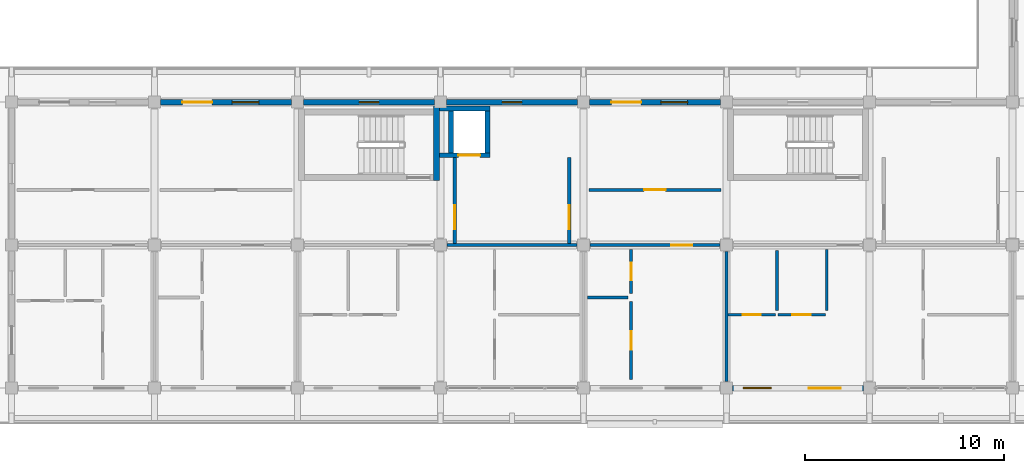
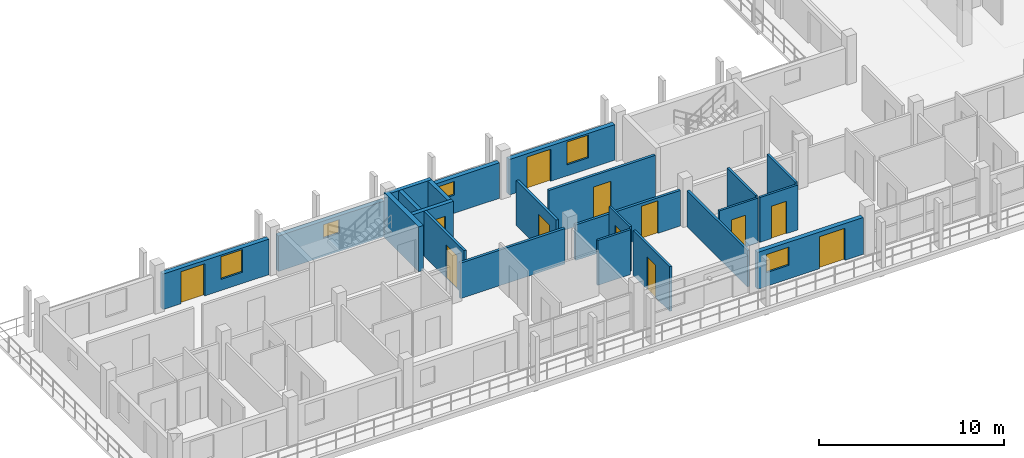
# One storey, part 129 of 157: 23 walls, 12 doors, 5 windows, 17 openings.
"""IFC4 building model written with IfcOpenShell, lengths in metres."""

from ifc_helpers import new_model, si_unit, direction, frame, frame_2d, origin, place, context, subcontext, project, spatial, rectangle, extrude, material, layer, layer_set, type_object, element, fill, save


model = new_model("IFC4")

# Units and contexts
model_context = context("Model", 3, precision=1e-05, world=origin(), true_north=direction((0.0, 1.0)))
body_context = subcontext(model_context, "Body", "Model", "MODEL_VIEW")
ifc_project = project(units=[si_unit("LENGTHUNIT", "METRE"), si_unit("AREAUNIT", "SQUARE_METRE"), si_unit("VOLUMEUNIT", "CUBIC_METRE"), si_unit("PLANEANGLEUNIT", "RADIAN"), si_unit("MASSUNIT", "GRAM", prefix="KILO")], contexts=[model_context])

# Site, building, storey
site_placement = place(None, origin())
site = spatial("IfcSite", under=ifc_project, at=site_placement, CompositionType="ELEMENT")
building_placement = place(site_placement, origin())
building = spatial("IfcBuilding", under=site, at=building_placement, Name="Suanplinth Sawtooth Commons", CompositionType="ELEMENT")
storey_placement = place(building_placement, frame((0.0, 0.0, 9.0)))
storey = spatial("IfcBuildingStorey", under=building, at=storey_placement, Name="L02", CompositionType="ELEMENT", Elevation=9.0)

# Wall
ifc_material_1 = material(Name="Concrete C40/50", Category="concrete")
ifc_layer_1 = layer(ifc_material_1, 0.300048828125, Name="Standard RC stair and lift core wall 300mm")
ifc_layer_set_1 = layer_set([ifc_layer_1], Name="Concrete C40/50")
wall_type_1 = type_object("IfcWallType", Name="W-CR02", PredefinedType="SHEAR", material=ifc_layer_set_1)
wall_1_placement = place(storey_placement, frame((143.800048828125, 10.449951171875, 0.0), z_axis=(0.0, 0.0, 1.0), x_axis=(0.0, 1.0, 0.0)))
element("IfcWall", 1, at=wall_1_placement, inside=storey, type_object=wall_type_1, Name="W-L02-C-C1-STE", PredefinedType="SHEAR", context=body_context, shape_type="SweptSolid", body=[
    extrude(rectangle(XDim=3.75, YDim=0.300048828125, at=frame_2d((1.875, 0.0))), origin(), (0.0, 0.0, 1.0), 2.9599609375),
])

# Wall, openings, door, window
ifc_material_2 = material(Name="Precast concrete C40/50", Category="concrete")
ifc_layer_2 = layer(ifc_material_2, 0.280029296875, Name="Insulated precast architectural facade wall 280mm")
ifc_layer_set_2 = layer_set([ifc_layer_2], Name="Precast concrete C40/50")
wall_type_2 = type_object("IfcWallType", Name="W-EX01", PredefinedType="ELEMENTEDWALL", material=ifc_layer_set_2)
wall_2_placement = place(storey_placement, frame((129.89990234375, 14.39990234375, 0.0), z_axis=(0.0, 0.0, 1.0), x_axis=(1.0, 0.0, 0.0)))
wall_2 = element("IfcWall", 2, at=wall_2_placement, inside=storey, type_object=wall_type_2, Name="Facade Wall W-L02-C-N-18-1", PredefinedType="ELEMENTEDWALL", context=body_context, shape_type="SweptSolid", body=[
    extrude(rectangle(XDim=6.60009765625, YDim=0.280029296875, at=frame_2d((3.300048828125, 0.0))), origin(), (0.0, 0.0, 1.0), 2.344970703125),
])
opening_1_placement = place(wall_2_placement, frame((1.10009765625, 0.0, 0.0)))
opening_1 = element("IfcOpeningElement", 3, at=opening_1_placement, cuts=wall_2, Name="Opening ED0181", PredefinedType="OPENING", context=body_context, shape_type="SweptSolid", body=[
    extrude(rectangle(XDim=1.5, YDim=2.1201171875, at=frame_2d((0.75, 1.06005859375))), frame((0.0, 0.15478515625, 0.0), z_axis=(0.0, -1.0, 0.0), x_axis=(1.0, 0.0, 0.0)), (0.0, 0.0, 1.0), 0.309814453125),
])
opening_2_placement = place(wall_2_placement, frame((3.60009765625, 0.0, 0.735107421875)))
opening_2 = element("IfcOpeningElement", 4, at=opening_2_placement, cuts=wall_2, Name="Opening W0295", PredefinedType="OPENING", context=body_context, shape_type="SweptSolid", body=[
    extrude(rectangle(XDim=1.35009765625, YDim=1.5, at=frame_2d((0.675048828125, 0.75))), frame((0.0, 0.15478515625, 0.0), z_axis=(0.0, -1.0, 0.0), x_axis=(1.0, 0.0, 0.0)), (0.0, 0.0, 1.0), 0.309814453125),
])
ifc_material_3 = material(Name="Anodized aluminium and low-E glass", Category="aluminium")
door_type_1 = type_object("IfcDoorType", Name="SD-03", OperationType="SLIDING_TO_LEFT", PredefinedType="DOOR", material=ifc_material_3)
door_1_placement = place(opening_1_placement, frame((1.5, 0.0, 0.0), z_axis=(0.0, 0.0, 1.0), x_axis=(-1.0, 0.0, 0.0)))
door_1 = element("IfcDoor", 5, at=door_1_placement, inside=storey, type_object=door_type_1, Name="Courtyard Balcony Door L02-C-18", OperationType="SLIDING_TO_LEFT", OverallHeight=2.1201171875, OverallWidth=1.5, PredefinedType="DOOR", context=body_context, shape_type="SweptSolid", body=[
    extrude(rectangle(XDim=1.5, YDim=2.1201171875, at=frame_2d((0.75, 1.06005859375))), frame((0.0, 0.02490234375, 0.0), z_axis=(0.0, -1.0, 0.0), x_axis=(1.0, 0.0, 0.0)), (0.0, 0.0, 1.0), 0.050048828125),
])
fill(opening_1, door_1)
ifc_material_4 = material(Name="Thermally broken aluminium and low-E double glazing", Category="aluminium")
window_type_1 = type_object("IfcWindowType", Name="WN-14", PartitioningType="SINGLE_PANEL", PredefinedType="WINDOW", material=ifc_material_4)
window_1_placement = place(opening_2_placement, origin())
window_1 = element("IfcWindow", 6, at=window_1_placement, inside=storey, type_object=window_type_1, Name="Courtyard Window L02-C-18", OverallHeight=1.5, OverallWidth=1.35009765625, PartitioningType="SINGLE_PANEL", PredefinedType="WINDOW", context=body_context, shape_type="SweptSolid", body=[
    extrude(rectangle(XDim=1.35009765625, YDim=1.5, at=frame_2d((0.675048828125, 0.75))), frame((0.0, 0.030029296875, 0.0), z_axis=(0.0, -1.0, 0.0), x_axis=(1.0, 0.0, 0.0)), (0.0, 0.0, 1.0), 0.06005859375),
])
fill(opening_2, window_1)

# Wall, opening, window
wall_3_placement = place(storey_placement, frame((137.10009765625, 14.39990234375, 0.0), z_axis=(0.0, 0.0, 1.0), x_axis=(1.0, 0.0, 0.0)))
wall_3 = element("IfcWall", 7, at=wall_3_placement, inside=storey, type_object=wall_type_2, Name="Facade Wall W-L02-C-N-19-1", PredefinedType="ELEMENTEDWALL", context=body_context, shape_type="SweptSolid", body=[
    extrude(rectangle(XDim=6.599853515625, YDim=0.280029296875, at=frame_2d((3.2998046875, 0.0))), origin(), (0.0, 0.0, 1.0), 2.344970703125),
])
opening_3_placement = place(wall_3_placement, frame((2.800048828125, 0.0, 1.199951171875)))
opening_3 = element("IfcOpeningElement", 8, at=opening_3_placement, cuts=wall_3, Name="Opening W0297", PredefinedType="OPENING", context=body_context, shape_type="SweptSolid", body=[
    extrude(rectangle(XDim=1.0, YDim=0.89990234375, at=frame_2d((0.5, 0.449951171875))), frame((0.0, 0.15478515625, 0.0), z_axis=(0.0, -1.0, 0.0), x_axis=(1.0, 0.0, 0.0)), (0.0, 0.0, 1.0), 0.309814453125),
])
window_type_2 = type_object("IfcWindowType", Name="WN-12", PartitioningType="SINGLE_PANEL", PredefinedType="WINDOW", material=ifc_material_4)
window_2_placement = place(opening_3_placement, origin())
window_2 = element("IfcWindow", 9, at=window_2_placement, inside=storey, type_object=window_type_2, Name="Core Daylight Window L02-C-19-1", OverallHeight=0.89990234375, OverallWidth=1.0, PartitioningType="SINGLE_PANEL", PredefinedType="WINDOW", context=body_context, shape_type="SweptSolid", body=[
    extrude(rectangle(XDim=1.0, YDim=0.89990234375, at=frame_2d((0.5, 0.449951171875))), frame((0.0, 0.030029296875, 0.0), z_axis=(0.0, -1.0, 0.0), x_axis=(1.0, 0.0, 0.0)), (0.0, 0.0, 1.0), 0.06005859375),
])
fill(opening_3, window_2)

wall_4_placement = place(storey_placement, frame((144.300048828125, 14.39990234375, 0.0), z_axis=(0.0, 0.0, 1.0), x_axis=(1.0, 0.0, 0.0)))
wall_4 = element("IfcWall", 10, at=wall_4_placement, inside=storey, type_object=wall_type_2, Name="Facade Wall W-L02-C-N-20-1", PredefinedType="ELEMENTEDWALL", context=body_context, shape_type="SweptSolid", body=[
    extrude(rectangle(XDim=6.599853515625, YDim=0.280029296875, at=frame_2d((3.2998046875, 0.0))), origin(), (0.0, 0.0, 1.0), 2.344970703125),
])
opening_4_placement = place(wall_4_placement, frame((2.800048828125, 0.0, 1.199951171875)))
opening_4 = element("IfcOpeningElement", 11, at=opening_4_placement, cuts=wall_4, Name="Opening W0298", PredefinedType="OPENING", context=body_context, shape_type="SweptSolid", body=[
    extrude(rectangle(XDim=1.0, YDim=0.89990234375, at=frame_2d((0.5, 0.449951171875))), frame((0.0, 0.15478515625, 0.0), z_axis=(0.0, -1.0, 0.0), x_axis=(1.0, 0.0, 0.0)), (0.0, 0.0, 1.0), 0.309814453125),
])
window_3_placement = place(opening_4_placement, origin())
window_3 = element("IfcWindow", 12, at=window_3_placement, inside=storey, type_object=window_type_2, Name="Core Daylight Window L02-C-20-1", OverallHeight=0.89990234375, OverallWidth=1.0, PartitioningType="SINGLE_PANEL", PredefinedType="WINDOW", context=body_context, shape_type="SweptSolid", body=[
    extrude(rectangle(XDim=1.0, YDim=0.89990234375, at=frame_2d((0.5, 0.449951171875))), frame((0.0, 0.030029296875, 0.0), z_axis=(0.0, -1.0, 0.0), x_axis=(1.0, 0.0, 0.0)), (0.0, 0.0, 1.0), 0.06005859375),
])
fill(opening_4, window_3)

# Wall, openings, door, window
wall_5_placement = place(storey_placement, frame((151.5, 14.39990234375, 0.0), z_axis=(0.0, 0.0, 1.0), x_axis=(1.0, 0.0, 0.0)))
wall_5 = element("IfcWall", 13, at=wall_5_placement, inside=storey, type_object=wall_type_2, Name="Facade Wall W-L02-C-N-21-1", PredefinedType="ELEMENTEDWALL", context=body_context, shape_type="SweptSolid", body=[
    extrude(rectangle(XDim=6.60009765625, YDim=0.280029296875, at=frame_2d((3.300048828125, 0.0))), origin(), (0.0, 0.0, 1.0), 2.344970703125),
])
opening_5_placement = place(wall_5_placement, frame((1.10009765625, 0.0, 0.0)))
opening_5 = element("IfcOpeningElement", 14, at=opening_5_placement, cuts=wall_5, Name="Opening ED0184", PredefinedType="OPENING", context=body_context, shape_type="SweptSolid", body=[
    extrude(rectangle(XDim=1.5, YDim=2.1201171875, at=frame_2d((0.75, 1.06005859375))), frame((0.0, 0.15478515625, 0.0), z_axis=(0.0, -1.0, 0.0), x_axis=(1.0, 0.0, 0.0)), (0.0, 0.0, 1.0), 0.309814453125),
])
opening_6_placement = place(wall_5_placement, frame((3.60009765625, 0.0, 0.735107421875)))
opening_6 = element("IfcOpeningElement", 15, at=opening_6_placement, cuts=wall_5, Name="Opening W0300", PredefinedType="OPENING", context=body_context, shape_type="SweptSolid", body=[
    extrude(rectangle(XDim=1.35009765625, YDim=1.5, at=frame_2d((0.675048828125, 0.75))), frame((0.0, 0.15478515625, 0.0), z_axis=(0.0, -1.0, 0.0), x_axis=(1.0, 0.0, 0.0)), (0.0, 0.0, 1.0), 0.309814453125),
])
door_2_placement = place(opening_5_placement, frame((1.5, 0.0, 0.0), z_axis=(0.0, 0.0, 1.0), x_axis=(-1.0, 0.0, 0.0)))
door_2 = element("IfcDoor", 16, at=door_2_placement, inside=storey, type_object=door_type_1, Name="Courtyard Balcony Door L02-C-21", OperationType="SLIDING_TO_LEFT", OverallHeight=2.1201171875, OverallWidth=1.5, PredefinedType="DOOR", context=body_context, shape_type="SweptSolid", body=[
    extrude(rectangle(XDim=1.5, YDim=2.1201171875, at=frame_2d((0.75, 1.06005859375))), frame((0.0, 0.02490234375, 0.0), z_axis=(0.0, -1.0, 0.0), x_axis=(1.0, 0.0, 0.0)), (0.0, 0.0, 1.0), 0.050048828125),
])
fill(opening_5, door_2)
window_4_placement = place(opening_6_placement, origin())
window_4 = element("IfcWindow", 17, at=window_4_placement, inside=storey, type_object=window_type_1, Name="Courtyard Window L02-C-21", OverallHeight=1.5, OverallWidth=1.35009765625, PartitioningType="SINGLE_PANEL", PredefinedType="WINDOW", context=body_context, shape_type="SweptSolid", body=[
    extrude(rectangle(XDim=1.35009765625, YDim=1.5, at=frame_2d((0.675048828125, 0.75))), frame((0.0, 0.030029296875, 0.0), z_axis=(0.0, -1.0, 0.0), x_axis=(1.0, 0.0, 0.0)), (0.0, 0.0, 1.0), 0.06005859375),
])
fill(opening_6, window_4)

wall_6_placement = place(storey_placement, frame((158.699951171875, 0.0, 0.0), z_axis=(0.0, 0.0, 1.0), x_axis=(1.0, 0.0, 0.0)))
wall_6 = element("IfcWall", 18, at=wall_6_placement, inside=storey, type_object=wall_type_2, Name="Facade Wall W-L02-C-S-22-0", PredefinedType="ELEMENTEDWALL", context=body_context, shape_type="SweptSolid", body=[
    extrude(rectangle(XDim=6.60009765625, YDim=0.280029296875, at=frame_2d((3.300048828125, 0.0))), origin(), (0.0, 0.0, 1.0), 2.425048828125),
])
opening_7_placement = place(wall_6_placement, frame((3.85009765625, 0.0, 0.0)))
opening_7 = element("IfcOpeningElement", 19, at=opening_7_placement, cuts=wall_6, Name="Opening ED0185", PredefinedType="OPENING", context=body_context, shape_type="SweptSolid", body=[
    extrude(rectangle(XDim=1.60009765625, YDim=2.1201171875, at=frame_2d((0.800048828125, 1.06005859375))), frame((0.0, 0.15478515625, 0.0), z_axis=(0.0, -1.0, 0.0), x_axis=(1.0, 0.0, 0.0)), (0.0, 0.0, 1.0), 0.309814453125),
])
opening_8_placement = place(wall_6_placement, frame((0.550048828125, 0.0, 0.89990234375)))
opening_8 = element("IfcOpeningElement", 20, at=opening_8_placement, cuts=wall_6, Name="Opening W0301", PredefinedType="OPENING", context=body_context, shape_type="SweptSolid", body=[
    extrude(rectangle(XDim=1.39990234375, YDim=1.199951171875, at=frame_2d((0.699951171875, 0.60009765625))), frame((0.0, 0.15478515625, 0.0), z_axis=(0.0, -1.0, 0.0), x_axis=(1.0, 0.0, 0.0)), (0.0, 0.0, 1.0), 0.309814453125),
])
door_type_2 = type_object("IfcDoorType", Name="SD-02", OperationType="SLIDING_TO_RIGHT", PredefinedType="DOOR", material=ifc_material_3)
door_3_placement = place(opening_7_placement, frame((1.60009765625, 0.0, 0.0), z_axis=(0.0, 0.0, 1.0), x_axis=(-1.0, 0.0, 0.0)))
door_3 = element("IfcDoor", 21, at=door_3_placement, inside=storey, type_object=door_type_2, Name="Balcony Sliding Door L02-C-22", OperationType="SLIDING_TO_RIGHT", OverallHeight=2.1201171875, OverallWidth=1.60009765625, PredefinedType="DOOR", context=body_context, shape_type="SweptSolid", body=[
    extrude(rectangle(XDim=1.60009765625, YDim=2.1201171875, at=frame_2d((0.800048828125, 1.06005859375))), frame((0.0, 0.02490234375, 0.0), z_axis=(0.0, -1.0, 0.0), x_axis=(1.0, 0.0, 0.0)), (0.0, 0.0, 1.0), 0.050048828125),
])
fill(opening_7, door_3)
window_type_3 = type_object("IfcWindowType", Name="WN-10", PartitioningType="DOUBLE_PANEL_HORIZONTAL", PredefinedType="WINDOW", material=ifc_material_4)
window_5_placement = place(opening_8_placement, origin())
window_5 = element("IfcWindow", 22, at=window_5_placement, inside=storey, type_object=window_type_3, Name="Apartment Window L02-C-22", OverallHeight=1.199951171875, OverallWidth=1.39990234375, PartitioningType="DOUBLE_PANEL_HORIZONTAL", PredefinedType="WINDOW", context=body_context, shape_type="SweptSolid", body=[
    extrude(rectangle(XDim=1.39990234375, YDim=1.199951171875, at=frame_2d((0.699951171875, 0.60009765625))), frame((0.0, 0.030029296875, 0.0), z_axis=(0.0, -1.0, 0.0), x_axis=(1.0, 0.0, 0.0)), (0.0, 0.0, 1.0), 0.06005859375),
])
fill(opening_8, window_5)

# Wall, opening, door
ifc_layer_3 = layer(ifc_material_2, 0.159912109375, Name="Fire-rated corridor and lobby wall 160mm")
ifc_layer_set_3 = layer_set([ifc_layer_3], Name="Precast concrete C40/50")
wall_type_3 = type_object("IfcWallType", Name="W-FW01", PredefinedType="PARTITIONING", material=ifc_layer_set_3)
wall_7_placement = place(storey_placement, frame((144.719970703125, 7.280029296875, 0.0), z_axis=(0.0, 0.0, 1.0), x_axis=(0.0, 1.0, 0.0)))
wall_7 = element("IfcWall", 23, at=wall_7_placement, inside=storey, type_object=wall_type_3, Name="W-L02-C-C1-LOB-W", PredefinedType="PARTITIONING", context=body_context, shape_type="SweptSolid", body=[
    extrude(rectangle(XDim=4.320068359375, YDim=0.159912109375, at=frame_2d((2.16015625, 0.0))), origin(), (0.0, 0.0, 1.0), 2.9599609375),
])
opening_9_placement = place(wall_7_placement, frame((0.719970703125, 0.0, 0.0)))
opening_9 = element("IfcOpeningElement", 24, at=opening_9_placement, cuts=wall_7, Name="Opening FD0289", PredefinedType="OPENING", context=body_context, shape_type="SweptSolid", body=[
    extrude(rectangle(XDim=1.199951171875, YDim=2.199951171875, at=frame_2d((0.60009765625, 1.10009765625))), frame((0.0, 0.0947265625, 0.0), z_axis=(0.0, -1.0, 0.0), x_axis=(1.0, 0.0, 0.0)), (0.0, 0.0, 1.0), 0.189697265625),
])
ifc_material_5 = material(Name="Teak hardwood fire-rated door assembly", Category="wood")
door_type_3 = type_object("IfcDoorType", Name="FD-02", OperationType="NOTDEFINED", PredefinedType="DOOR", material=ifc_material_5)
door_4_placement = place(opening_9_placement, origin())
door_4 = element("IfcDoor", 25, at=door_4_placement, inside=storey, type_object=door_type_3, Name="Lobby Fire Door FD0289", OperationType="SINGLE_SWING_LEFT", OverallHeight=2.199951171875, OverallWidth=1.199951171875, PredefinedType="DOOR", context=body_context, shape_type="SweptSolid", body=[
    extrude(rectangle(XDim=1.199951171875, YDim=2.199951171875, at=frame_2d((0.60009765625, 1.10009765625))), frame((0.0, 0.02490234375, 0.0), z_axis=(0.0, -1.0, 0.0), x_axis=(1.0, 0.0, 0.0)), (0.0, 0.0, 1.0), 0.050048828125),
])
fill(opening_9, door_4)

wall_8_placement = place(storey_placement, frame((150.47998046875, 7.280029296875, 0.0), z_axis=(0.0, 0.0, 1.0), x_axis=(0.0, 1.0, 0.0)))
wall_8 = element("IfcWall", 26, at=wall_8_placement, inside=storey, type_object=wall_type_3, Name="W-L02-C-C1-LOB-E", PredefinedType="PARTITIONING", context=body_context, shape_type="SweptSolid", body=[
    extrude(rectangle(XDim=4.320068359375, YDim=0.159912109375, at=frame_2d((2.16015625, 0.0))), origin(), (0.0, 0.0, 1.0), 2.9599609375),
])
opening_10_placement = place(wall_8_placement, frame((0.719970703125, 0.0, 0.0)))
opening_10 = element("IfcOpeningElement", 27, at=opening_10_placement, cuts=wall_8, Name="Opening FD0290", PredefinedType="OPENING", context=body_context, shape_type="SweptSolid", body=[
    extrude(rectangle(XDim=1.199951171875, YDim=2.199951171875, at=frame_2d((0.60009765625, 1.10009765625))), frame((0.0, 0.0947265625, 0.0), z_axis=(0.0, -1.0, 0.0), x_axis=(1.0, 0.0, 0.0)), (0.0, 0.0, 1.0), 0.189697265625),
])
door_5_placement = place(opening_10_placement, frame((1.199951171875, 0.0, 0.0), z_axis=(0.0, 0.0, 1.0), x_axis=(-1.0, 0.0, 0.0)))
door_5 = element("IfcDoor", 28, at=door_5_placement, inside=storey, type_object=door_type_3, Name="Lobby Fire Door FD0290", OperationType="SINGLE_SWING_RIGHT", OverallHeight=2.199951171875, OverallWidth=1.199951171875, PredefinedType="DOOR", context=body_context, shape_type="SweptSolid", body=[
    extrude(rectangle(XDim=1.199951171875, YDim=2.199951171875, at=frame_2d((0.60009765625, 1.10009765625))), frame((0.0, 0.02490234375, 0.0), z_axis=(0.0, -1.0, 0.0), x_axis=(1.0, 0.0, 0.0)), (0.0, 0.0, 1.0), 0.050048828125),
])
fill(opening_10, door_5)

# Wall
wall_9_placement = place(storey_placement, frame((144.330078125, 7.199951171875, 0.0), z_axis=(0.0, 0.0, 1.0), x_axis=(1.0, 0.0, 0.0)))
element("IfcWall", 29, at=wall_9_placement, inside=storey, type_object=wall_type_3, Name="W-C-L02-U03-COR-S2", PredefinedType="PARTITIONING", context=body_context, shape_type="SweptSolid", body=[
    extrude(rectangle(XDim=6.5400390625, YDim=0.159912109375, at=frame_2d((3.27001953125, 0.0))), origin(), (0.0, 0.0, 1.0), 2.344970703125),
])

# Wall, opening, door
wall_10_placement = place(storey_placement, frame((151.530029296875, 7.199951171875, 0.0), z_axis=(0.0, 0.0, 1.0), x_axis=(1.0, 0.0, 0.0)))
wall_10 = element("IfcWall", 30, at=wall_10_placement, inside=storey, type_object=wall_type_3, Name="W-C-L02-U04-COR", PredefinedType="PARTITIONING", context=body_context, shape_type="SweptSolid", body=[
    extrude(rectangle(XDim=6.5400390625, YDim=0.159912109375, at=frame_2d((3.27001953125, 0.0))), origin(), (0.0, 0.0, 1.0), 2.344970703125),
])
opening_11_placement = place(wall_10_placement, frame((4.094970703125, 0.0, 0.0)))
opening_11 = element("IfcOpeningElement", 31, at=opening_11_placement, cuts=wall_10, Name="Opening FD0799", PredefinedType="OPENING", context=body_context, shape_type="SweptSolid", body=[
    extrude(rectangle(XDim=1.050048828125, YDim=2.14990234375, at=frame_2d((0.52490234375, 1.074951171875))), frame((0.0, 0.0947265625, 0.0), z_axis=(0.0, -1.0, 0.0), x_axis=(1.0, 0.0, 0.0)), (0.0, 0.0, 1.0), 0.189697265625),
])
door_type_4 = type_object("IfcDoorType", Name="FD-04", OperationType="NOTDEFINED", PredefinedType="DOOR", material=ifc_material_5)
door_6_placement = place(opening_11_placement, frame((1.050048828125, 0.0, 0.0), z_axis=(0.0, 0.0, 1.0), x_axis=(-1.0, 0.0, 0.0)))
door_6 = element("IfcDoor", 32, at=door_6_placement, inside=storey, type_object=door_type_4, Name="Unit Entrance Door FD0799", OperationType="SINGLE_SWING_LEFT", OverallHeight=2.14990234375, OverallWidth=1.050048828125, PredefinedType="DOOR", context=body_context, shape_type="SweptSolid", body=[
    extrude(rectangle(XDim=1.050048828125, YDim=2.14990234375, at=frame_2d((0.52490234375, 1.074951171875))), frame((0.0, 0.02490234375, 0.0), z_axis=(0.0, -1.0, 0.0), x_axis=(1.0, 0.0, 0.0)), (0.0, 0.0, 1.0), 0.050048828125),
])
fill(opening_11, door_6)

wall_11_placement = place(storey_placement, frame((151.47998046875, 9.97998046875, 0.0), z_axis=(0.0, 0.0, 1.0), x_axis=(1.0, 0.0, 0.0)))
wall_11 = element("IfcWall", 33, at=wall_11_placement, inside=storey, type_object=wall_type_3, Name="W-C-L02-COURTROOM-51-COR", PredefinedType="PARTITIONING", context=body_context, shape_type="SweptSolid", body=[
    extrude(rectangle(XDim=6.64013671875, YDim=0.159912109375, at=frame_2d((3.320068359375, 0.0))), origin(), (0.0, 0.0, 1.0), 2.9599609375),
])
opening_12_placement = place(wall_11_placement, frame((2.780029296875, 0.0, 0.0)))
opening_12 = element("IfcOpeningElement", 34, at=opening_12_placement, cuts=wall_11, Name="Opening D0816", PredefinedType="OPENING", context=body_context, shape_type="SweptSolid", body=[
    extrude(rectangle(XDim=1.080078125, YDim=2.219970703125, at=frame_2d((0.5400390625, 1.10986328125))), frame((0.0, 0.0947265625, 0.0), z_axis=(0.0, -1.0, 0.0), x_axis=(1.0, 0.0, 0.0)), (0.0, 0.0, 1.0), 0.189697265625),
])
ifc_material_6 = material(Name="Teak hardwood", Category="wood")
door_type_5 = type_object("IfcDoorType", Name="D-17", OperationType="NOTDEFINED", PredefinedType="DOOR", material=ifc_material_6)
door_7_placement = place(opening_12_placement, origin())
door_7 = element("IfcDoor", 35, at=door_7_placement, inside=storey, type_object=door_type_5, Name="Study Studio Door D0816", OperationType="SINGLE_SWING_RIGHT", OverallHeight=2.219970703125, OverallWidth=1.080078125, PredefinedType="DOOR", context=body_context, shape_type="SweptSolid", body=[
    extrude(rectangle(XDim=1.080078125, YDim=2.219970703125, at=frame_2d((0.5400390625, 1.10986328125))), frame((0.0, 0.02490234375, 0.0), z_axis=(0.0, -1.0, 0.0), x_axis=(1.0, 0.0, 0.0)), (0.0, 0.0, 1.0), 0.050048828125),
])
fill(opening_12, door_7)

# Wall
ifc_layer_4 = layer(ifc_material_2, 0.14990234375, Name="Acoustic precast party demising wall 150mm")
ifc_layer_set_4 = layer_set([ifc_layer_4], Name="Precast concrete C40/50")
wall_type_4 = type_object("IfcWallType", Name="W-FW02", PredefinedType="PARTITIONING", material=ifc_layer_set_4)
wall_12_placement = place(storey_placement, frame((158.39990234375, 0.330078125, 0.0), z_axis=(0.0, 0.0, 1.0), x_axis=(0.0, 1.0, 0.0)))
element("IfcWall", 36, at=wall_12_placement, inside=storey, type_object=wall_type_4, Name="W-C-L02-U04-PTY", PredefinedType="PARTITIONING", context=body_context, shape_type="SweptSolid", body=[
    extrude(rectangle(XDim=6.5400390625, YDim=0.14990234375, at=frame_2d((3.27001953125, 0.0))), origin(), (0.0, 0.0, 1.0), 2.39501953125),
])

# Wall, opening, door
ifc_material_7 = material(Name="Gypsum plasterboard on steel stud", Category="steel")
ifc_layer_5 = layer(ifc_material_7, 0.139892578125, Name="Fire-rated kitchen partition 140mm")
ifc_layer_set_5 = layer_set([ifc_layer_5], Name="Gypsum plasterboard on steel stud")
wall_type_5 = type_object("IfcWallType", Name="W-PT01", PredefinedType="PARTITIONING", material=ifc_layer_set_5)
wall_13_placement = place(storey_placement, frame((153.594970703125, 0.419921875, 0.0), z_axis=(0.0, 0.0, 1.0), x_axis=(0.0, 1.0, 0.0)))
wall_13 = element("IfcWall", 37, at=wall_13_placement, inside=storey, type_object=wall_type_5, Name="W-C-L02-U04-KITE", PredefinedType="PARTITIONING", context=body_context, shape_type="SweptSolid", body=[
    extrude(rectangle(XDim=3.940185546875, YDim=0.139892578125, at=frame_2d((1.97021484375, 0.0))), origin(), (0.0, 0.0, 1.0), 2.9599609375),
])
opening_13_placement = place(wall_13_placement, frame((1.5048828125, 0.0, 0.0)))
opening_13 = element("IfcOpeningElement", 38, at=opening_13_placement, cuts=wall_13, Name="Opening D0801", PredefinedType="OPENING", context=body_context, shape_type="SweptSolid", body=[
    extrude(rectangle(XDim=0.929931640625, YDim=2.139892578125, at=frame_2d((0.46484375, 1.06982421875))), frame((0.0, 0.0849609375, 0.0), z_axis=(0.0, -1.0, 0.0), x_axis=(1.0, 0.0, 0.0)), (0.0, 0.0, 1.0), 0.169677734375),
])
door_type_6 = type_object("IfcDoorType", Name="D-19", OperationType="NOTDEFINED", PredefinedType="DOOR", material=ifc_material_6)
door_8_placement = place(opening_13_placement, origin())
door_8 = element("IfcDoor", 39, at=door_8_placement, inside=storey, type_object=door_type_6, Name="Kitchen Door D0801", OperationType="SINGLE_SWING_LEFT", OverallHeight=2.139892578125, OverallWidth=0.929931640625, PredefinedType="DOOR", context=body_context, shape_type="SweptSolid", body=[
    extrude(rectangle(XDim=0.929931640625, YDim=2.139892578125, at=frame_2d((0.46484375, 1.06982421875))), frame((0.0, 0.02490234375, 0.0), z_axis=(0.0, -1.0, 0.0), x_axis=(1.0, 0.0, 0.0)), (0.0, 0.0, 1.0), 0.050048828125),
])
fill(opening_13, door_8)

wall_14_placement = place(storey_placement, frame((161.0, 3.68994140625, 0.0), z_axis=(0.0, 0.0, 1.0), x_axis=(1.0, 0.0, 0.0)))
wall_14 = element("IfcWall", 40, at=wall_14_placement, inside=storey, type_object=wall_type_5, Name="W-C-L02-U05-KIT1", PredefinedType="PARTITIONING", context=body_context, shape_type="SweptSolid", body=[
    extrude(rectangle(XDim=2.3798828125, YDim=0.139892578125, at=frame_2d((1.18994140625, 0.0))), origin(), (0.0, 0.0, 1.0), 2.9599609375),
])
opening_14_placement = place(wall_14_placement, frame((0.72509765625, 0.0, 0.0)))
opening_14 = element("IfcOpeningElement", 41, at=opening_14_placement, cuts=wall_14, Name="Opening D0804", PredefinedType="OPENING", context=body_context, shape_type="SweptSolid", body=[
    extrude(rectangle(XDim=0.929931640625, YDim=2.139892578125, at=frame_2d((0.46484375, 1.06982421875))), frame((0.0, 0.0849609375, 0.0), z_axis=(0.0, -1.0, 0.0), x_axis=(1.0, 0.0, 0.0)), (0.0, 0.0, 1.0), 0.169677734375),
])
door_9_placement = place(opening_14_placement, origin())
door_9 = element("IfcDoor", 42, at=door_9_placement, inside=storey, type_object=door_type_6, Name="Kitchen Door D0804", OperationType="SINGLE_SWING_RIGHT", OverallHeight=2.139892578125, OverallWidth=0.929931640625, PredefinedType="DOOR", context=body_context, shape_type="SweptSolid", body=[
    extrude(rectangle(XDim=0.929931640625, YDim=2.139892578125, at=frame_2d((0.46484375, 1.06982421875))), frame((0.0, 0.02490234375, 0.0), z_axis=(0.0, -1.0, 0.0), x_axis=(1.0, 0.0, 0.0)), (0.0, 0.0, 1.0), 0.050048828125),
])
fill(opening_14, door_9)

# Walls
wall_15_placement = place(storey_placement, frame((163.449951171875, 3.909912109375, 0.0), z_axis=(0.0, 0.0, 1.0), x_axis=(0.0, 1.0, 0.0)))
element("IfcWall", 43, at=wall_15_placement, inside=storey, type_object=wall_type_5, Name="W-C-L02-U05-KIT2", PredefinedType="PARTITIONING", context=body_context, shape_type="SweptSolid", body=[
    extrude(rectangle(XDim=3.06005859375, YDim=0.139892578125, at=frame_2d((1.530029296875, 0.0))), origin(), (0.0, 0.0, 1.0), 2.9599609375),
])
ifc_layer_6 = layer(ifc_material_7, 0.1298828125, Name="Moisture-resistant bathroom partition 130mm")
ifc_layer_set_6 = layer_set([ifc_layer_6], Name="Gypsum plasterboard on steel stud")
wall_type_6 = type_object("IfcWallType", Name="W-PT02", PredefinedType="PARTITIONING", material=ifc_layer_set_6)
wall_16_placement = place(storey_placement, frame((151.39990234375, 4.56005859375, 0.0), z_axis=(0.0, 0.0, 1.0), x_axis=(1.0, 0.0, 0.0)))
element("IfcWall", 44, at=wall_16_placement, inside=storey, type_object=wall_type_6, Name="W-C-L02-U04-STDIV", PredefinedType="PARTITIONING", context=body_context, shape_type="SweptSolid", body=[
    extrude(rectangle(XDim=2.050048828125, YDim=0.1298828125, at=frame_2d((1.02490234375, 0.0))), origin(), (0.0, 0.0, 1.0), 2.9599609375),
])

# Wall, opening, door
wall_17_placement = place(storey_placement, frame((153.594970703125, 4.760009765625, 0.0), z_axis=(0.0, 0.0, 1.0), x_axis=(0.0, 1.0, 0.0)))
wall_17 = element("IfcWall", 45, at=wall_17_placement, inside=storey, type_object=wall_type_6, Name="W-C-L02-U04-BTHE", PredefinedType="PARTITIONING", context=body_context, shape_type="SweptSolid", body=[
    extrude(rectangle(XDim=2.219970703125, YDim=0.1298828125, at=frame_2d((1.10986328125, 0.0))), origin(), (0.0, 0.0, 1.0), 2.9599609375),
])
opening_15_placement = place(wall_17_placement, frame((0.669921875, 0.0, 0.0)))
opening_15 = element("IfcOpeningElement", 46, at=opening_15_placement, cuts=wall_17, Name="Opening D0800", PredefinedType="OPENING", context=body_context, shape_type="SweptSolid", body=[
    extrude(rectangle(XDim=0.8798828125, YDim=2.10009765625, at=frame_2d((0.43994140625, 1.050048828125))), frame((0.0, 0.079833984375, 0.0), z_axis=(0.0, -1.0, 0.0), x_axis=(1.0, 0.0, 0.0)), (0.0, 0.0, 1.0), 0.15966796875),
])
door_type_7 = type_object("IfcDoorType", Name="D-14", OperationType="NOTDEFINED", PredefinedType="DOOR", material=ifc_material_6)
door_10_placement = place(opening_15_placement, origin())
door_10 = element("IfcDoor", 47, at=door_10_placement, inside=storey, type_object=door_type_7, Name="Bathroom Door D0800", OperationType="SINGLE_SWING_RIGHT", OverallHeight=2.10009765625, OverallWidth=0.8798828125, PredefinedType="DOOR", context=body_context, shape_type="SweptSolid", body=[
    extrude(rectangle(XDim=0.8798828125, YDim=2.10009765625, at=frame_2d((0.43994140625, 1.050048828125))), frame((0.0, 0.02490234375, 0.0), z_axis=(0.0, -1.0, 0.0), x_axis=(1.0, 0.0, 0.0)), (0.0, 0.0, 1.0), 0.050048828125),
])
fill(opening_15, door_10)

wall_18_placement = place(storey_placement, frame((158.47998046875, 3.695068359375, 0.0), z_axis=(0.0, 0.0, 1.0), x_axis=(1.0, 0.0, 0.0)))
wall_18 = element("IfcWall", 48, at=wall_18_placement, inside=storey, type_object=wall_type_6, Name="W-C-L02-U05-BTH1", PredefinedType="PARTITIONING", context=body_context, shape_type="SweptSolid", body=[
    extrude(rectangle(XDim=2.39990234375, YDim=0.1298828125, at=frame_2d((1.199951171875, 0.0))), origin(), (0.0, 0.0, 1.0), 2.9599609375),
])
opening_16_placement = place(wall_18_placement, frame((0.75, 0.0, 0.0)))
opening_16 = element("IfcOpeningElement", 49, at=opening_16_placement, cuts=wall_18, Name="Opening D0803", PredefinedType="OPENING", context=body_context, shape_type="SweptSolid", body=[
    extrude(rectangle(XDim=0.89990234375, YDim=2.10009765625, at=frame_2d((0.449951171875, 1.050048828125))), frame((0.0, 0.079833984375, 0.0), z_axis=(0.0, -1.0, 0.0), x_axis=(1.0, 0.0, 0.0)), (0.0, 0.0, 1.0), 0.15966796875),
])
door_type_8 = type_object("IfcDoorType", Name="D-01", OperationType="NOTDEFINED", PredefinedType="DOOR", material=ifc_material_6)
door_11_placement = place(opening_16_placement, origin())
door_11 = element("IfcDoor", 50, at=door_11_placement, inside=storey, type_object=door_type_8, Name="Bathroom Door D0803", OperationType="SINGLE_SWING_LEFT", OverallHeight=2.10009765625, OverallWidth=0.89990234375, PredefinedType="DOOR", context=body_context, shape_type="SweptSolid", body=[
    extrude(rectangle(XDim=0.89990234375, YDim=2.10009765625, at=frame_2d((0.449951171875, 1.050048828125))), frame((0.0, 0.02490234375, 0.0), z_axis=(0.0, -1.0, 0.0), x_axis=(1.0, 0.0, 0.0)), (0.0, 0.0, 1.0), 0.050048828125),
])
fill(opening_16, door_11)

# Wall
wall_19_placement = place(storey_placement, frame((160.945068359375, 3.89990234375, 0.0), z_axis=(0.0, 0.0, 1.0), x_axis=(0.0, 1.0, 0.0)))
element("IfcWall", 51, at=wall_19_placement, inside=storey, type_object=wall_type_6, Name="W-C-L02-U05-BTH2", PredefinedType="PARTITIONING", context=body_context, shape_type="SweptSolid", body=[
    extrude(rectangle(XDim=3.0400390625, YDim=0.1298828125, at=frame_2d((1.52001953125, 0.0))), origin(), (0.0, 0.0, 1.0), 2.9599609375),
])

# Wall, opening, door
ifc_layer_7 = layer(ifc_material_2, 0.25, Name="Precast structural shear wall 250mm")
ifc_layer_set_7 = layer_set([ifc_layer_7], Name="Precast concrete C40/50")
wall_type_7 = type_object("IfcWallType", Name="W-SH01", PredefinedType="SHEAR", material=ifc_layer_set_7)
wall_20_placement = place(storey_placement, frame((143.949951171875, 11.72509765625, 0.0), z_axis=(0.0, 0.0, 1.0), x_axis=(1.0, 0.0, 0.0)))
wall_20 = element("IfcWall", 52, at=wall_20_placement, inside=storey, type_object=wall_type_7, Name="W-L02-LF5-S", PredefinedType="SHEAR", context=body_context, shape_type="SweptSolid", body=[
    extrude(rectangle(XDim=2.550048828125, YDim=0.25, at=frame_2d((1.27490234375, 0.0))), origin(), (0.0, 0.0, 1.0), 2.9599609375),
])
opening_17_placement = place(wall_20_placement, frame((0.949951171875, 0.0, 0.0)))
opening_17 = element("IfcOpeningElement", 53, at=opening_17_placement, cuts=wall_20, Name="Opening LD0291", PredefinedType="OPENING", context=body_context, shape_type="SweptSolid", body=[
    extrude(rectangle(XDim=1.10009765625, YDim=2.14990234375, at=frame_2d((0.550048828125, 1.074951171875))), frame((0.0, 0.139892578125, 0.0), z_axis=(0.0, -1.0, 0.0), x_axis=(1.0, 0.0, 0.0)), (0.0, 0.0, 1.0), 0.27978515625),
])
ifc_material_8 = material(Name="Stainless steel Grade 304", Category="steel")
door_type_9 = type_object("IfcDoorType", Name="LD-01", OperationType="SLIDING_TO_LEFT", PredefinedType="DOOR", material=ifc_material_8)
door_12_placement = place(opening_17_placement, frame((1.10009765625, 0.0, 0.0), z_axis=(0.0, 0.0, 1.0), x_axis=(-1.0, 0.0, 0.0)))
door_12 = element("IfcDoor", 54, at=door_12_placement, inside=storey, type_object=door_type_9, Name="Lift Landing Sliding Door LF5 L02", OperationType="SLIDING_TO_LEFT", OverallHeight=2.14990234375, OverallWidth=1.10009765625, PredefinedType="DOOR", context=body_context, shape_type="SweptSolid", body=[
    extrude(rectangle(XDim=1.10009765625, YDim=2.14990234375, at=frame_2d((0.550048828125, 1.074951171875))), frame((0.0, 0.02490234375, 0.0), z_axis=(0.0, -1.0, 0.0), x_axis=(1.0, 0.0, 0.0)), (0.0, 0.0, 1.0), 0.050048828125),
])
fill(opening_17, door_12)

# Walls
wall_21_placement = place(storey_placement, frame((143.949951171875, 14.074951171875, 0.0), z_axis=(0.0, 0.0, 1.0), x_axis=(1.0, 0.0, 0.0)))
element("IfcWall", 55, at=wall_21_placement, inside=storey, type_object=wall_type_7, Name="W-L02-LF5-N", PredefinedType="SHEAR", context=body_context, shape_type="SweptSolid", body=[
    extrude(rectangle(XDim=2.550048828125, YDim=0.25, at=frame_2d((1.27490234375, 0.0))), origin(), (0.0, 0.0, 1.0), 2.9599609375),
])
for number, where, z_axis, x_axis, name in (
    (56, (144.52490234375, 11.85009765625, 0.0), (0.0, 0.0, 1.0), (0.0, 1.0, 0.0), "W-L02-LF5-W"),
    (57, (146.375, 11.85009765625, 0.0), (0.0, 0.0, 1.0), (0.0, 1.0, 0.0), "W-L02-LF5-E"),
):
    element("IfcWall", number, at=place(storey_placement, frame(where, z_axis=z_axis, x_axis=x_axis)), inside=storey, type_object=wall_type_7, Name=name, PredefinedType="SHEAR", context=body_context, shape_type="SweptSolid", body=[
        extrude(rectangle(XDim=2.099853515625, YDim=0.25, at=frame_2d((1.0498046875, 0.0))), origin(), (0.0, 0.0, 1.0), 2.9599609375),
    ])

save(model, "model.ifc")
